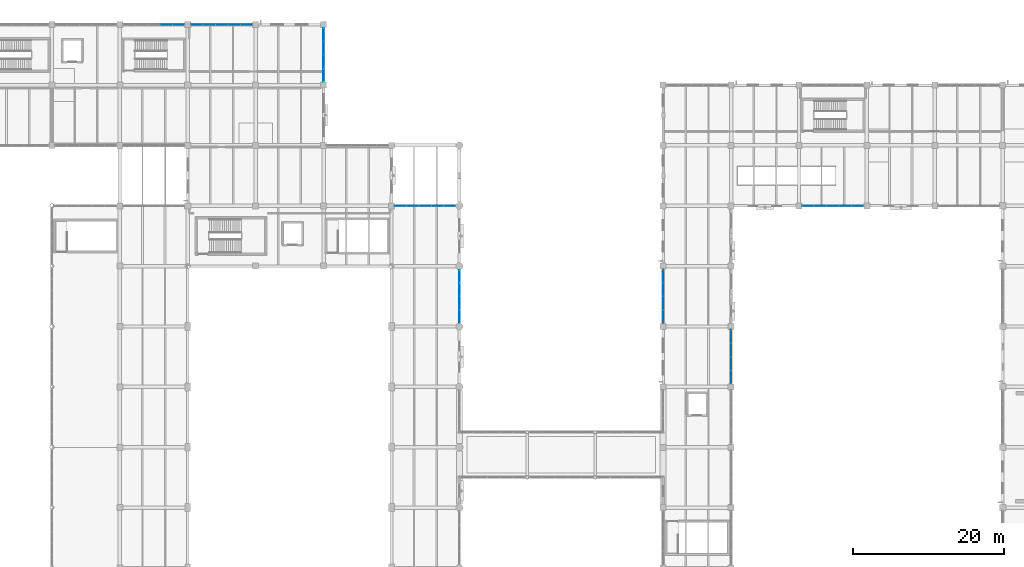
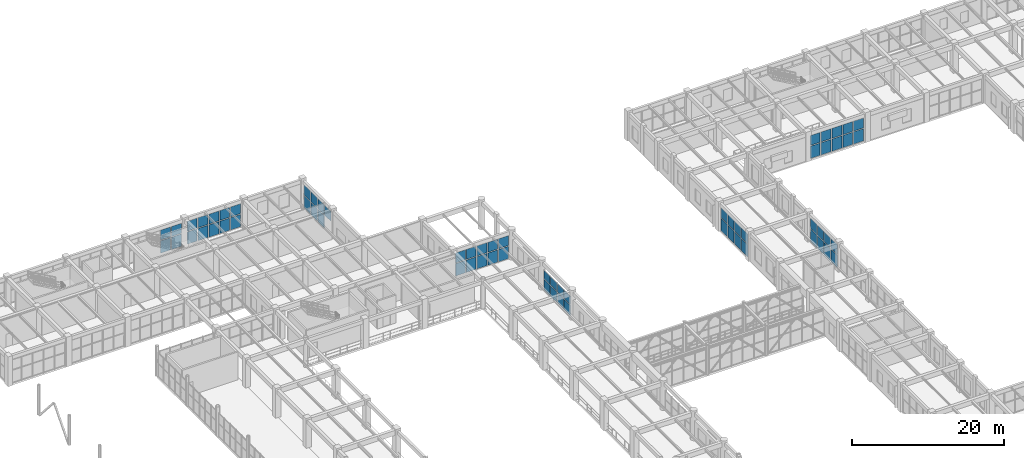
# One storey, part 147 of 178: 65 plates, 8 elements without a shape of their own.
"""IFC4 building model written with IfcOpenShell, lengths in metres."""

from ifc_helpers import new_model, si_unit, derived_unit, direction, frame, origin, origin_2d, place, context, subcontext, project, spatial, rectangle, extrude, material, layer, layer_set, type_object, element, aggregate, save


model = new_model("IFC4")

# Units and contexts
model_context = context("Model", 3, precision=1e-05, world=origin(), true_north=direction((0.0, 1.0)))
body_context = subcontext(model_context, "Body", "Model", "MODEL_VIEW")
ifc_project = project(units=[si_unit("LENGTHUNIT", "METRE"), si_unit("AREAUNIT", "SQUARE_METRE"), si_unit("VOLUMEUNIT", "CUBIC_METRE"), si_unit("PLANEANGLEUNIT", "RADIAN"), si_unit("MASSUNIT", "GRAM", prefix="KILO"), derived_unit("THERMALTRANSMITTANCEUNIT", [(si_unit("MASSUNIT", "GRAM", prefix="KILO"), 1), (si_unit("TIMEUNIT", "SECOND"), -3), (si_unit("THERMODYNAMICTEMPERATUREUNIT", "KELVIN"), -1)])], contexts=[model_context])

# Site, building, storey
site_placement = place(None, origin())
site = spatial("IfcSite", under=ifc_project, at=site_placement, CompositionType="ELEMENT")
building_placement = place(site_placement, origin())
building = spatial("IfcBuilding", under=site, at=building_placement, Name="Zhenchuan Archway Interchange", CompositionType="ELEMENT")
storey_placement = place(building_placement, frame((0.0, 0.0, 5.39990234375)))
storey = spatial("IfcBuildingStorey", under=building, at=storey_placement, Name="L01", CompositionType="ELEMENT", Elevation=5.39990234375)

# Curtain wall, plates
ifc_material_1 = material(Name="Anodised Aluminium", Category="aluminium")
curtain_wall_type_1 = type_object("IfcCurtainWallType", Name="CW_UNIT_1", PredefinedType="NOTDEFINED", material=ifc_material_1)
curtain_wall_1_placement = place(storey_placement, origin())
curtain_wall_1 = element("IfcCurtainWall", 1, at=curtain_wall_1_placement, inside=storey, type_object=curtain_wall_type_1, Name="Unitised curtain wall CW:L01:048", PredefinedType="NOTDEFINED")
ifc_material_2 = material(Name="Double Low-E Insulated Glazing", Category="glass")
ifc_layer_1 = layer(ifc_material_2, 0.028076171875)
ifc_layer_set_1 = layer_set([ifc_layer_1], Name="Double Low-E Insulated Glazing")
plate_type_1 = type_object("IfcPlateType", Name="CW_GLZ_1", PredefinedType="CURTAIN_PANEL", material=ifc_layer_set_1)
plate_1_placement = place(storey_placement, frame((33.15283203125, 112.0, 0.080078125), z_axis=(0.0, 0.0, 1.0), x_axis=(1.0, 0.0, 0.0)))
plate_1 = element("IfcPlate", 2, at=plate_1_placement, type_object=plate_type_1, Name="CW:L01:048 lower glazing panel 3", PredefinedType="CURTAIN_PANEL", context=body_context, shape_type="SweptSolid", body=[
    extrude(rectangle(XDim=1.5126953125, YDim=0.028076171875, at=origin_2d()), origin(), (0.0, 0.0, 1.0), 1.98291015625),
])
plate_2_placement = place(storey_placement, frame((34.795654296875, 112.0, 0.080078125), z_axis=(0.0, 0.0, 1.0), x_axis=(1.0, 0.0, 0.0)))
plate_2 = element("IfcPlate", 3, at=plate_2_placement, type_object=plate_type_1, Name="CW:L01:048 lower glazing panel 4", PredefinedType="CURTAIN_PANEL", context=body_context, shape_type="SweptSolid", body=[
    extrude(rectangle(XDim=1.492919921875, YDim=0.028076171875, at=origin_2d()), origin(), (0.0, 0.0, 1.0), 1.98291015625),
])

curtain_wall_type_2 = type_object("IfcCurtainWallType", Name="CW_UNIT_2", PredefinedType="NOTDEFINED", material=ifc_material_1)
curtain_wall_2_placement = place(storey_placement, origin())
curtain_wall_2 = element("IfcCurtainWall", 4, at=curtain_wall_2_placement, inside=storey, type_object=curtain_wall_type_2, Name="Unitised curtain wall CW:L01:049", PredefinedType="NOTDEFINED")
plate_3_placement = place(storey_placement, frame((37.204345703125, 112.0, 0.080078125), z_axis=(0.0, 0.0, 1.0), x_axis=(1.0, 0.0, 0.0)))
plate_3 = element("IfcPlate", 5, at=plate_3_placement, type_object=plate_type_1, Name="CW:L01:049 lower glazing panel 0", PredefinedType="CURTAIN_PANEL", context=body_context, shape_type="SweptSolid", body=[
    extrude(rectangle(XDim=1.492919921875, YDim=0.028076171875, at=origin_2d()), origin(), (0.0, 0.0, 1.0), 1.98291015625),
])
plate_4_placement = place(storey_placement, frame((38.84716796875, 112.0, 0.080078125), z_axis=(0.0, 0.0, 1.0), x_axis=(1.0, 0.0, 0.0)))
plate_4 = element("IfcPlate", 6, at=plate_4_placement, type_object=plate_type_1, Name="CW:L01:049 lower glazing panel 1", PredefinedType="CURTAIN_PANEL", context=body_context, shape_type="SweptSolid", body=[
    extrude(rectangle(XDim=1.5126953125, YDim=0.028076171875, at=origin_2d()), origin(), (0.0, 0.0, 1.0), 1.98291015625),
])
plate_5_placement = place(storey_placement, frame((40.5, 112.0, 0.080078125), z_axis=(0.0, 0.0, 1.0), x_axis=(1.0, 0.0, 0.0)))
plate_5 = element("IfcPlate", 7, at=plate_5_placement, type_object=plate_type_1, Name="CW:L01:049 lower glazing panel 2", PredefinedType="CURTAIN_PANEL", context=body_context, shape_type="SweptSolid", body=[
    extrude(rectangle(XDim=1.5126953125, YDim=0.028076171875, at=origin_2d()), origin(), (0.0, 0.0, 1.0), 1.98291015625),
])
plate_6_placement = place(storey_placement, frame((42.15283203125, 112.0, 0.080078125), z_axis=(0.0, 0.0, 1.0), x_axis=(1.0, 0.0, 0.0)))
plate_6 = element("IfcPlate", 8, at=plate_6_placement, type_object=plate_type_1, Name="CW:L01:049 lower glazing panel 3", PredefinedType="CURTAIN_PANEL", context=body_context, shape_type="SweptSolid", body=[
    extrude(rectangle(XDim=1.5126953125, YDim=0.028076171875, at=origin_2d()), origin(), (0.0, 0.0, 1.0), 1.98291015625),
])
plate_7_placement = place(storey_placement, frame((43.795654296875, 112.0, 0.080078125), z_axis=(0.0, 0.0, 1.0), x_axis=(1.0, 0.0, 0.0)))
plate_7 = element("IfcPlate", 9, at=plate_7_placement, type_object=plate_type_1, Name="CW:L01:049 lower glazing panel 4", PredefinedType="CURTAIN_PANEL", context=body_context, shape_type="SweptSolid", body=[
    extrude(rectangle(XDim=1.492919921875, YDim=0.028076171875, at=origin_2d()), origin(), (0.0, 0.0, 1.0), 1.98291015625),
])

curtain_wall_3_placement = place(storey_placement, origin())
curtain_wall_3 = element("IfcCurtainWall", 10, at=curtain_wall_3_placement, inside=storey, type_object=curtain_wall_type_1, Name="Unitised curtain wall CW:L01:052", PredefinedType="NOTDEFINED")
plate_8_placement = place(storey_placement, frame((64.197021484375, 88.0, 0.080078125), z_axis=(0.0, 0.0, 1.0), x_axis=(1.0, 0.0, 0.0)))
plate_8 = element("IfcPlate", 11, at=plate_8_placement, type_object=plate_type_1, Name="CW:L01:052 lower glazing panel 0", PredefinedType="CURTAIN_PANEL", context=body_context, shape_type="SweptSolid", body=[
    extrude(rectangle(XDim=1.47802734375, YDim=0.028076171875, at=origin_2d()), origin(), (0.0, 0.0, 1.0), 1.98291015625),
])
plate_9_placement = place(storey_placement, frame((65.824951171875, 88.0, 0.080078125), z_axis=(0.0, 0.0, 1.0), x_axis=(1.0, 0.0, 0.0)))
plate_9 = element("IfcPlate", 12, at=plate_9_placement, type_object=plate_type_1, Name="CW:L01:052 lower glazing panel 1", PredefinedType="CURTAIN_PANEL", context=body_context, shape_type="SweptSolid", body=[
    extrude(rectangle(XDim=1.498046875, YDim=0.028076171875, at=origin_2d()), origin(), (0.0, 0.0, 1.0), 1.98291015625),
])
plate_10_placement = place(storey_placement, frame((67.462890625, 88.0, 0.080078125), z_axis=(0.0, 0.0, 1.0), x_axis=(1.0, 0.0, 0.0)))
plate_10 = element("IfcPlate", 13, at=plate_10_placement, type_object=plate_type_1, Name="CW:L01:052 lower glazing panel 2", PredefinedType="CURTAIN_PANEL", context=body_context, shape_type="SweptSolid", body=[
    extrude(rectangle(XDim=1.498046875, YDim=0.028076171875, at=origin_2d()), origin(), (0.0, 0.0, 1.0), 1.98291015625),
])
plate_11_placement = place(storey_placement, frame((69.10107421875, 88.0, 0.080078125), z_axis=(0.0, 0.0, 1.0), x_axis=(1.0, 0.0, 0.0)))
plate_11 = element("IfcPlate", 14, at=plate_11_placement, type_object=plate_type_1, Name="CW:L01:052 lower glazing panel 3", PredefinedType="CURTAIN_PANEL", context=body_context, shape_type="SweptSolid", body=[
    extrude(rectangle(XDim=1.498046875, YDim=0.028076171875, at=origin_2d()), origin(), (0.0, 0.0, 1.0), 1.98291015625),
])
plate_12_placement = place(storey_placement, frame((70.72900390625, 88.0, 0.080078125), z_axis=(0.0, 0.0, 1.0), x_axis=(1.0, 0.0, 0.0)))
plate_12 = element("IfcPlate", 15, at=plate_12_placement, type_object=plate_type_1, Name="CW:L01:052 lower glazing panel 4", PredefinedType="CURTAIN_PANEL", context=body_context, shape_type="SweptSolid", body=[
    extrude(rectangle(XDim=1.47802734375, YDim=0.028076171875, at=origin_2d()), origin(), (0.0, 0.0, 1.0), 1.98291015625),
])

curtain_wall_4_placement = place(storey_placement, origin())
curtain_wall_4 = element("IfcCurtainWall", 16, at=curtain_wall_4_placement, inside=storey, type_object=curtain_wall_type_2, Name="Unitised curtain wall CW:L01:097", PredefinedType="NOTDEFINED")
plate_13_placement = place(storey_placement, frame((124.795654296875, 88.0, 0.080078125), z_axis=(0.0, 0.0, 1.0), x_axis=(-1.0, 0.0, 0.0)))
plate_13 = element("IfcPlate", 17, at=plate_13_placement, type_object=plate_type_1, Name="CW:L01:097 lower glazing panel 0", PredefinedType="CURTAIN_PANEL", context=body_context, shape_type="SweptSolid", body=[
    extrude(rectangle(XDim=1.492919921875, YDim=0.028076171875, at=origin_2d()), origin(), (0.0, 0.0, 1.0), 1.98291015625),
])
plate_14_placement = place(storey_placement, frame((123.15283203125, 88.0, 0.080078125), z_axis=(0.0, 0.0, 1.0), x_axis=(-1.0, 0.0, 0.0)))
plate_14 = element("IfcPlate", 18, at=plate_14_placement, type_object=plate_type_1, Name="CW:L01:097 lower glazing panel 1", PredefinedType="CURTAIN_PANEL", context=body_context, shape_type="SweptSolid", body=[
    extrude(rectangle(XDim=1.5126953125, YDim=0.028076171875, at=origin_2d()), origin(), (0.0, 0.0, 1.0), 1.98291015625),
])
plate_15_placement = place(storey_placement, frame((121.5, 88.0, 0.080078125), z_axis=(0.0, 0.0, 1.0), x_axis=(-1.0, 0.0, 0.0)))
plate_15 = element("IfcPlate", 19, at=plate_15_placement, type_object=plate_type_1, Name="CW:L01:097 lower glazing panel 2", PredefinedType="CURTAIN_PANEL", context=body_context, shape_type="SweptSolid", body=[
    extrude(rectangle(XDim=1.5126953125, YDim=0.028076171875, at=origin_2d()), origin(), (0.0, 0.0, 1.0), 1.98291015625),
])
plate_16_placement = place(storey_placement, frame((119.84716796875, 88.0, 0.080078125), z_axis=(0.0, 0.0, 1.0), x_axis=(-1.0, 0.0, 0.0)))
plate_16 = element("IfcPlate", 20, at=plate_16_placement, type_object=plate_type_1, Name="CW:L01:097 lower glazing panel 3", PredefinedType="CURTAIN_PANEL", context=body_context, shape_type="SweptSolid", body=[
    extrude(rectangle(XDim=1.5126953125, YDim=0.028076171875, at=origin_2d()), origin(), (0.0, 0.0, 1.0), 1.98291015625),
])
plate_17_placement = place(storey_placement, frame((118.204345703125, 88.0, 0.080078125), z_axis=(0.0, 0.0, 1.0), x_axis=(-1.0, 0.0, 0.0)))
plate_17 = element("IfcPlate", 21, at=plate_17_placement, type_object=plate_type_1, Name="CW:L01:097 lower glazing panel 4", PredefinedType="CURTAIN_PANEL", context=body_context, shape_type="SweptSolid", body=[
    extrude(rectangle(XDim=1.492919921875, YDim=0.028076171875, at=origin_2d()), origin(), (0.0, 0.0, 1.0), 1.98291015625),
])

# Plate
ifc_layer_2 = layer(ifc_material_2, 0.02587890625)
ifc_layer_set_2 = layer_set([ifc_layer_2], Name="Double Low-E Insulated Glazing")
plate_type_2 = type_object("IfcPlateType", Name="CW_GLZ_2", PredefinedType="CURTAIN_PANEL", material=ifc_layer_set_2)
plate_18_placement = place(storey_placement, frame((33.15283203125, 112.0, 2.18310546875), z_axis=(0.0, 0.0, 1.0), x_axis=(1.0, 0.0, 0.0)))
plate_18 = element("IfcPlate", 22, at=plate_18_placement, type_object=plate_type_2, Name="CW:L01:048 upper glazing panel 3", PredefinedType="CURTAIN_PANEL", context=body_context, shape_type="SweptSolid", body=[
    extrude(rectangle(XDim=1.5126953125, YDim=0.02587890625, at=origin_2d()), origin(), (0.0, 0.0, 1.0), 1.596923828125),
])

plate_19_placement = place(storey_placement, frame((34.795654296875, 112.0, 2.18310546875), z_axis=(0.0, 0.0, 1.0), x_axis=(1.0, 0.0, 0.0)))
plate_19 = element("IfcPlate", 23, at=plate_19_placement, type_object=plate_type_2, Name="CW:L01:048 upper glazing panel 4", PredefinedType="CURTAIN_PANEL", context=body_context, shape_type="SweptSolid", body=[
    extrude(rectangle(XDim=1.492919921875, YDim=0.02587890625, at=origin_2d()), origin(), (0.0, 0.0, 1.0), 1.596923828125),
])

aggregate(curtain_wall_1, [plate_1, plate_18, plate_2, plate_19])

plate_20_placement = place(storey_placement, frame((37.204345703125, 112.0, 2.18310546875), z_axis=(0.0, 0.0, 1.0), x_axis=(1.0, 0.0, 0.0)))
plate_20 = element("IfcPlate", 24, at=plate_20_placement, type_object=plate_type_2, Name="CW:L01:049 upper glazing panel 0", PredefinedType="CURTAIN_PANEL", context=body_context, shape_type="SweptSolid", body=[
    extrude(rectangle(XDim=1.492919921875, YDim=0.02587890625, at=origin_2d()), origin(), (0.0, 0.0, 1.0), 1.596923828125),
])

plate_21_placement = place(storey_placement, frame((38.84716796875, 112.0, 2.18310546875), z_axis=(0.0, 0.0, 1.0), x_axis=(1.0, 0.0, 0.0)))
plate_21 = element("IfcPlate", 25, at=plate_21_placement, type_object=plate_type_2, Name="CW:L01:049 upper glazing panel 1", PredefinedType="CURTAIN_PANEL", context=body_context, shape_type="SweptSolid", body=[
    extrude(rectangle(XDim=1.5126953125, YDim=0.02587890625, at=origin_2d()), origin(), (0.0, 0.0, 1.0), 1.596923828125),
])

plate_22_placement = place(storey_placement, frame((40.5, 112.0, 2.18310546875), z_axis=(0.0, 0.0, 1.0), x_axis=(1.0, 0.0, 0.0)))
plate_22 = element("IfcPlate", 26, at=plate_22_placement, type_object=plate_type_2, Name="CW:L01:049 upper glazing panel 2", PredefinedType="CURTAIN_PANEL", context=body_context, shape_type="SweptSolid", body=[
    extrude(rectangle(XDim=1.5126953125, YDim=0.02587890625, at=origin_2d()), origin(), (0.0, 0.0, 1.0), 1.596923828125),
])

plate_23_placement = place(storey_placement, frame((42.15283203125, 112.0, 2.18310546875), z_axis=(0.0, 0.0, 1.0), x_axis=(1.0, 0.0, 0.0)))
plate_23 = element("IfcPlate", 27, at=plate_23_placement, type_object=plate_type_2, Name="CW:L01:049 upper glazing panel 3", PredefinedType="CURTAIN_PANEL", context=body_context, shape_type="SweptSolid", body=[
    extrude(rectangle(XDim=1.5126953125, YDim=0.02587890625, at=origin_2d()), origin(), (0.0, 0.0, 1.0), 1.596923828125),
])

plate_24_placement = place(storey_placement, frame((43.795654296875, 112.0, 2.18310546875), z_axis=(0.0, 0.0, 1.0), x_axis=(1.0, 0.0, 0.0)))
plate_24 = element("IfcPlate", 28, at=plate_24_placement, type_object=plate_type_2, Name="CW:L01:049 upper glazing panel 4", PredefinedType="CURTAIN_PANEL", context=body_context, shape_type="SweptSolid", body=[
    extrude(rectangle(XDim=1.492919921875, YDim=0.02587890625, at=origin_2d()), origin(), (0.0, 0.0, 1.0), 1.596923828125),
])

aggregate(curtain_wall_2, [plate_3, plate_20, plate_4, plate_21, plate_5, plate_22, plate_6, plate_23, plate_7, plate_24])

plate_25_placement = place(storey_placement, frame((64.197021484375, 88.0, 2.18310546875), z_axis=(0.0, 0.0, 1.0), x_axis=(1.0, 0.0, 0.0)))
plate_25 = element("IfcPlate", 29, at=plate_25_placement, type_object=plate_type_2, Name="CW:L01:052 upper glazing panel 0", PredefinedType="CURTAIN_PANEL", context=body_context, shape_type="SweptSolid", body=[
    extrude(rectangle(XDim=1.47802734375, YDim=0.02587890625, at=origin_2d()), origin(), (0.0, 0.0, 1.0), 1.596923828125),
])

plate_26_placement = place(storey_placement, frame((65.824951171875, 88.0, 2.18310546875), z_axis=(0.0, 0.0, 1.0), x_axis=(1.0, 0.0, 0.0)))
plate_26 = element("IfcPlate", 30, at=plate_26_placement, type_object=plate_type_2, Name="CW:L01:052 upper glazing panel 1", PredefinedType="CURTAIN_PANEL", context=body_context, shape_type="SweptSolid", body=[
    extrude(rectangle(XDim=1.498046875, YDim=0.02587890625, at=origin_2d()), origin(), (0.0, 0.0, 1.0), 1.596923828125),
])

plate_27_placement = place(storey_placement, frame((67.462890625, 88.0, 2.18310546875), z_axis=(0.0, 0.0, 1.0), x_axis=(1.0, 0.0, 0.0)))
plate_27 = element("IfcPlate", 31, at=plate_27_placement, type_object=plate_type_2, Name="CW:L01:052 upper glazing panel 2", PredefinedType="CURTAIN_PANEL", context=body_context, shape_type="SweptSolid", body=[
    extrude(rectangle(XDim=1.498046875, YDim=0.02587890625, at=origin_2d()), origin(), (0.0, 0.0, 1.0), 1.596923828125),
])

plate_28_placement = place(storey_placement, frame((69.10107421875, 88.0, 2.18310546875), z_axis=(0.0, 0.0, 1.0), x_axis=(1.0, 0.0, 0.0)))
plate_28 = element("IfcPlate", 32, at=plate_28_placement, type_object=plate_type_2, Name="CW:L01:052 upper glazing panel 3", PredefinedType="CURTAIN_PANEL", context=body_context, shape_type="SweptSolid", body=[
    extrude(rectangle(XDim=1.498046875, YDim=0.02587890625, at=origin_2d()), origin(), (0.0, 0.0, 1.0), 1.596923828125),
])

plate_29_placement = place(storey_placement, frame((70.72900390625, 88.0, 2.18310546875), z_axis=(0.0, 0.0, 1.0), x_axis=(1.0, 0.0, 0.0)))
plate_29 = element("IfcPlate", 33, at=plate_29_placement, type_object=plate_type_2, Name="CW:L01:052 upper glazing panel 4", PredefinedType="CURTAIN_PANEL", context=body_context, shape_type="SweptSolid", body=[
    extrude(rectangle(XDim=1.47802734375, YDim=0.02587890625, at=origin_2d()), origin(), (0.0, 0.0, 1.0), 1.596923828125),
])

aggregate(curtain_wall_3, [plate_8, plate_25, plate_9, plate_26, plate_10, plate_27, plate_11, plate_28, plate_12, plate_29])

plate_30_placement = place(storey_placement, frame((124.795654296875, 88.0, 2.18310546875), z_axis=(0.0, 0.0, 1.0), x_axis=(-1.0, 0.0, 0.0)))
plate_30 = element("IfcPlate", 34, at=plate_30_placement, type_object=plate_type_2, Name="CW:L01:097 upper glazing panel 0", PredefinedType="CURTAIN_PANEL", context=body_context, shape_type="SweptSolid", body=[
    extrude(rectangle(XDim=1.492919921875, YDim=0.02587890625, at=origin_2d()), origin(), (0.0, 0.0, 1.0), 1.596923828125),
])

plate_31_placement = place(storey_placement, frame((123.15283203125, 88.0, 2.18310546875), z_axis=(0.0, 0.0, 1.0), x_axis=(-1.0, 0.0, 0.0)))
plate_31 = element("IfcPlate", 35, at=plate_31_placement, type_object=plate_type_2, Name="CW:L01:097 upper glazing panel 1", PredefinedType="CURTAIN_PANEL", context=body_context, shape_type="SweptSolid", body=[
    extrude(rectangle(XDim=1.5126953125, YDim=0.02587890625, at=origin_2d()), origin(), (0.0, 0.0, 1.0), 1.596923828125),
])

plate_32_placement = place(storey_placement, frame((121.5, 88.0, 2.18310546875), z_axis=(0.0, 0.0, 1.0), x_axis=(-1.0, 0.0, 0.0)))
plate_32 = element("IfcPlate", 36, at=plate_32_placement, type_object=plate_type_2, Name="CW:L01:097 upper glazing panel 2", PredefinedType="CURTAIN_PANEL", context=body_context, shape_type="SweptSolid", body=[
    extrude(rectangle(XDim=1.5126953125, YDim=0.02587890625, at=origin_2d()), origin(), (0.0, 0.0, 1.0), 1.596923828125),
])

plate_33_placement = place(storey_placement, frame((119.84716796875, 88.0, 2.18310546875), z_axis=(0.0, 0.0, 1.0), x_axis=(-1.0, 0.0, 0.0)))
plate_33 = element("IfcPlate", 37, at=plate_33_placement, type_object=plate_type_2, Name="CW:L01:097 upper glazing panel 3", PredefinedType="CURTAIN_PANEL", context=body_context, shape_type="SweptSolid", body=[
    extrude(rectangle(XDim=1.5126953125, YDim=0.02587890625, at=origin_2d()), origin(), (0.0, 0.0, 1.0), 1.596923828125),
])

plate_34_placement = place(storey_placement, frame((118.204345703125, 88.0, 2.18310546875), z_axis=(0.0, 0.0, 1.0), x_axis=(-1.0, 0.0, 0.0)))
plate_34 = element("IfcPlate", 38, at=plate_34_placement, type_object=plate_type_2, Name="CW:L01:097 upper glazing panel 4", PredefinedType="CURTAIN_PANEL", context=body_context, shape_type="SweptSolid", body=[
    extrude(rectangle(XDim=1.492919921875, YDim=0.02587890625, at=origin_2d()), origin(), (0.0, 0.0, 1.0), 1.596923828125),
])

aggregate(curtain_wall_4, [plate_13, plate_30, plate_14, plate_31, plate_15, plate_32, plate_16, plate_33, plate_17, plate_34])

# Curtain wall, plates
curtain_wall_type_3 = type_object("IfcCurtainWallType", Name="CW_UNIT_3", PredefinedType="NOTDEFINED", material=ifc_material_1)
curtain_wall_5_placement = place(storey_placement, origin())
curtain_wall_5 = element("IfcCurtainWall", 39, at=curtain_wall_5_placement, inside=storey, type_object=curtain_wall_type_3, Name="Unitised curtain wall CW:L01:050", PredefinedType="NOTDEFINED")
ifc_layer_3 = layer(ifc_material_2, 0.030029296875)
ifc_layer_set_3 = layer_set([ifc_layer_3], Name="Double Low-E Insulated Glazing")
plate_type_3 = type_object("IfcPlateType", Name="CW_GLZ_3", PredefinedType="CURTAIN_PANEL", material=ifc_layer_set_3)
plate_35_placement = place(storey_placement, frame((54.0, 110.714111328125, 0.080078125), z_axis=(0.0, 0.0, 1.0), x_axis=(0.0, -1.0, 0.0)))
plate_35 = element("IfcPlate", 40, at=plate_35_placement, type_object=plate_type_3, Name="CW:L01:050 lower glazing panel 0", PredefinedType="CURTAIN_PANEL", context=body_context, shape_type="SweptSolid", body=[
    extrude(rectangle(XDim=1.656005859375, YDim=0.028076171875, at=origin_2d()), origin(), (0.0, 0.0, 1.0), 1.98291015625),
])
plate_36_placement = place(storey_placement, frame((54.0, 108.907958984375, 0.080078125), z_axis=(0.0, 0.0, 1.0), x_axis=(0.0, -1.0, 0.0)))
plate_36 = element("IfcPlate", 41, at=plate_36_placement, type_object=plate_type_3, Name="CW:L01:050 lower glazing panel 1", PredefinedType="CURTAIN_PANEL", context=body_context, shape_type="SweptSolid", body=[
    extrude(rectangle(XDim=1.676025390625, YDim=0.028076171875, at=origin_2d()), origin(), (0.0, 0.0, 1.0), 1.98291015625),
])
plate_37_placement = place(storey_placement, frame((54.0, 107.092041015625, 0.080078125), z_axis=(0.0, 0.0, 1.0), x_axis=(0.0, -1.0, 0.0)))
plate_37 = element("IfcPlate", 42, at=plate_37_placement, type_object=plate_type_3, Name="CW:L01:050 lower glazing panel 2", PredefinedType="CURTAIN_PANEL", context=body_context, shape_type="SweptSolid", body=[
    extrude(rectangle(XDim=1.676025390625, YDim=0.028076171875, at=origin_2d()), origin(), (0.0, 0.0, 1.0), 1.98291015625),
])

curtain_wall_6_placement = place(storey_placement, origin())
curtain_wall_6 = element("IfcCurtainWall", 43, at=curtain_wall_6_placement, inside=storey, type_object=curtain_wall_type_2, Name="Unitised curtain wall CW:L01:053", PredefinedType="NOTDEFINED")
plate_38_placement = place(storey_placement, frame((72.0, 78.658447265625, 0.080078125), z_axis=(0.0, 0.0, 1.0), x_axis=(0.0, -1.0, 0.0)))
plate_38 = element("IfcPlate", 44, at=plate_38_placement, type_object=plate_type_3, Name="CW:L01:053 lower glazing panel 0", PredefinedType="CURTAIN_PANEL", context=body_context, shape_type="SweptSolid", body=[
    extrude(rectangle(XDim=1.618896484375, YDim=0.028076171875, at=origin_2d()), origin(), (0.0, 0.0, 1.0), 1.653076171875),
])
plate_39_placement = place(storey_placement, frame((72.0, 76.889404296875, 0.080078125), z_axis=(0.0, 0.0, 1.0), x_axis=(0.0, -1.0, 0.0)))
plate_39 = element("IfcPlate", 45, at=plate_39_placement, type_object=plate_type_3, Name="CW:L01:053 lower glazing panel 1", PredefinedType="CURTAIN_PANEL", context=body_context, shape_type="SweptSolid", body=[
    extrude(rectangle(XDim=1.638916015625, YDim=0.028076171875, at=origin_2d()), origin(), (0.0, 0.0, 1.0), 1.653076171875),
])
plate_40_placement = place(storey_placement, frame((72.0, 75.110595703125, 0.080078125), z_axis=(0.0, 0.0, 1.0), x_axis=(0.0, -1.0, 0.0)))
plate_40 = element("IfcPlate", 46, at=plate_40_placement, type_object=plate_type_3, Name="CW:L01:053 lower glazing panel 2", PredefinedType="CURTAIN_PANEL", context=body_context, shape_type="SweptSolid", body=[
    extrude(rectangle(XDim=1.638916015625, YDim=0.028076171875, at=origin_2d()), origin(), (0.0, 0.0, 1.0), 1.653076171875),
])
plate_41_placement = place(storey_placement, frame((72.0, 73.341552734375, 0.080078125), z_axis=(0.0, 0.0, 1.0), x_axis=(0.0, -1.0, 0.0)))
plate_41 = element("IfcPlate", 47, at=plate_41_placement, type_object=plate_type_3, Name="CW:L01:053 lower glazing panel 3", PredefinedType="CURTAIN_PANEL", context=body_context, shape_type="SweptSolid", body=[
    extrude(rectangle(XDim=1.618896484375, YDim=0.028076171875, at=origin_2d()), origin(), (0.0, 0.0, 1.0), 1.653076171875),
])

curtain_wall_type_4 = type_object("IfcCurtainWallType", Name="CW_UNIT_4", PredefinedType="NOTDEFINED", material=ifc_material_1)
curtain_wall_7_placement = place(storey_placement, origin())
curtain_wall_7 = element("IfcCurtainWall", 48, at=curtain_wall_7_placement, inside=storey, type_object=curtain_wall_type_4, Name="Unitised curtain wall CW:L01:059", PredefinedType="NOTDEFINED")
plate_42_placement = place(storey_placement, frame((99.0, 73.285888671875, 0.080078125), z_axis=(0.0, 0.0, 1.0), x_axis=(0.0, 1.0, 0.0)))
plate_42 = element("IfcPlate", 49, at=plate_42_placement, type_object=plate_type_3, Name="CW:L01:059 lower glazing panel 0", PredefinedType="CURTAIN_PANEL", context=body_context, shape_type="SweptSolid", body=[
    extrude(rectangle(XDim=1.656005859375, YDim=0.028076171875, at=origin_2d()), origin(), (0.0, 0.0, 1.0), 1.98291015625),
])
plate_43_placement = place(storey_placement, frame((99.0, 75.092041015625, 0.080078125), z_axis=(0.0, 0.0, 1.0), x_axis=(0.0, 1.0, 0.0)))
plate_43 = element("IfcPlate", 50, at=plate_43_placement, type_object=plate_type_3, Name="CW:L01:059 lower glazing panel 1", PredefinedType="CURTAIN_PANEL", context=body_context, shape_type="SweptSolid", body=[
    extrude(rectangle(XDim=1.676025390625, YDim=0.028076171875, at=origin_2d()), origin(), (0.0, 0.0, 1.0), 1.98291015625),
])
plate_44_placement = place(storey_placement, frame((99.0, 76.907958984375, 0.080078125), z_axis=(0.0, 0.0, 1.0), x_axis=(0.0, 1.0, 0.0)))
plate_44 = element("IfcPlate", 51, at=plate_44_placement, type_object=plate_type_3, Name="CW:L01:059 lower glazing panel 2", PredefinedType="CURTAIN_PANEL", context=body_context, shape_type="SweptSolid", body=[
    extrude(rectangle(XDim=1.676025390625, YDim=0.028076171875, at=origin_2d()), origin(), (0.0, 0.0, 1.0), 1.98291015625),
])
plate_45_placement = place(storey_placement, frame((99.0, 78.714111328125, 0.080078125), z_axis=(0.0, 0.0, 1.0), x_axis=(0.0, 1.0, 0.0)))
plate_45 = element("IfcPlate", 52, at=plate_45_placement, type_object=plate_type_3, Name="CW:L01:059 lower glazing panel 3", PredefinedType="CURTAIN_PANEL", context=body_context, shape_type="SweptSolid", body=[
    extrude(rectangle(XDim=1.656005859375, YDim=0.028076171875, at=origin_2d()), origin(), (0.0, 0.0, 1.0), 1.98291015625),
])

curtain_wall_8_placement = place(storey_placement, origin())
curtain_wall_8 = element("IfcCurtainWall", 53, at=curtain_wall_8_placement, inside=storey, type_object=curtain_wall_type_3, Name="Unitised curtain wall CW:L01:098", PredefinedType="NOTDEFINED")
plate_46_placement = place(storey_placement, frame((108.0, 70.714111328125, 0.080078125), z_axis=(0.0, 0.0, 1.0), x_axis=(0.0, -1.0, 0.0)))
plate_46 = element("IfcPlate", 54, at=plate_46_placement, type_object=plate_type_3, Name="CW:L01:098 lower glazing panel 0", PredefinedType="CURTAIN_PANEL", context=body_context, shape_type="SweptSolid", body=[
    extrude(rectangle(XDim=1.656005859375, YDim=0.028076171875, at=origin_2d()), origin(), (0.0, 0.0, 1.0), 1.98291015625),
])
plate_47_placement = place(storey_placement, frame((108.0, 68.907958984375, 0.080078125), z_axis=(0.0, 0.0, 1.0), x_axis=(0.0, -1.0, 0.0)))
plate_47 = element("IfcPlate", 55, at=plate_47_placement, type_object=plate_type_3, Name="CW:L01:098 lower glazing panel 1", PredefinedType="CURTAIN_PANEL", context=body_context, shape_type="SweptSolid", body=[
    extrude(rectangle(XDim=1.676025390625, YDim=0.028076171875, at=origin_2d()), origin(), (0.0, 0.0, 1.0), 1.98291015625),
])
plate_48_placement = place(storey_placement, frame((108.0, 67.092041015625, 0.080078125), z_axis=(0.0, 0.0, 1.0), x_axis=(0.0, -1.0, 0.0)))
plate_48 = element("IfcPlate", 56, at=plate_48_placement, type_object=plate_type_3, Name="CW:L01:098 lower glazing panel 2", PredefinedType="CURTAIN_PANEL", context=body_context, shape_type="SweptSolid", body=[
    extrude(rectangle(XDim=1.676025390625, YDim=0.028076171875, at=origin_2d()), origin(), (0.0, 0.0, 1.0), 1.98291015625),
])
plate_49_placement = place(storey_placement, frame((108.0, 65.285888671875, 0.080078125), z_axis=(0.0, 0.0, 1.0), x_axis=(0.0, -1.0, 0.0)))
plate_49 = element("IfcPlate", 57, at=plate_49_placement, type_object=plate_type_3, Name="CW:L01:098 lower glazing panel 3", PredefinedType="CURTAIN_PANEL", context=body_context, shape_type="SweptSolid", body=[
    extrude(rectangle(XDim=1.656005859375, YDim=0.028076171875, at=origin_2d()), origin(), (0.0, 0.0, 1.0), 1.98291015625),
])

# Plate
ifc_layer_4 = layer(ifc_material_2, 0.02392578125)
ifc_layer_set_4 = layer_set([ifc_layer_4], Name="Double Low-E Insulated Glazing")
plate_type_4 = type_object("IfcPlateType", Name="CW_GLZ_4", PredefinedType="CURTAIN_PANEL", material=ifc_layer_set_4)
plate_50_placement = place(storey_placement, frame((54.0, 110.714111328125, 2.18310546875), z_axis=(0.0, 0.0, 1.0), x_axis=(0.0, -1.0, 0.0)))
plate_50 = element("IfcPlate", 58, at=plate_50_placement, type_object=plate_type_4, Name="CW:L01:050 upper glazing panel 0", PredefinedType="CURTAIN_PANEL", context=body_context, shape_type="SweptSolid", body=[
    extrude(rectangle(XDim=1.656005859375, YDim=0.02587890625, at=origin_2d()), origin(), (0.0, 0.0, 1.0), 1.596923828125),
])

plate_51_placement = place(storey_placement, frame((54.0, 108.907958984375, 2.18310546875), z_axis=(0.0, 0.0, 1.0), x_axis=(0.0, -1.0, 0.0)))
plate_51 = element("IfcPlate", 59, at=plate_51_placement, type_object=plate_type_4, Name="CW:L01:050 upper glazing panel 1", PredefinedType="CURTAIN_PANEL", context=body_context, shape_type="SweptSolid", body=[
    extrude(rectangle(XDim=1.676025390625, YDim=0.02587890625, at=origin_2d()), origin(), (0.0, 0.0, 1.0), 1.596923828125),
])

plate_52_placement = place(storey_placement, frame((54.0, 107.092041015625, 2.18310546875), z_axis=(0.0, 0.0, 1.0), x_axis=(0.0, -1.0, 0.0)))
plate_52 = element("IfcPlate", 60, at=plate_52_placement, type_object=plate_type_4, Name="CW:L01:050 upper glazing panel 2", PredefinedType="CURTAIN_PANEL", context=body_context, shape_type="SweptSolid", body=[
    extrude(rectangle(XDim=1.676025390625, YDim=0.02587890625, at=origin_2d()), origin(), (0.0, 0.0, 1.0), 1.596923828125),
])

plate_53_placement = place(storey_placement, frame((54.0, 105.285888671875, 2.18310546875), z_axis=(0.0, 0.0, 1.0), x_axis=(0.0, -1.0, 0.0)))
plate_53 = element("IfcPlate", 61, at=plate_53_placement, type_object=plate_type_4, Name="CW:L01:050 upper glazing panel 3", PredefinedType="CURTAIN_PANEL", context=body_context, shape_type="SweptSolid", body=[
    extrude(rectangle(XDim=1.656005859375, YDim=0.02587890625, at=origin_2d()), origin(), (0.0, 0.0, 1.0), 1.596923828125),
])

aggregate(curtain_wall_5, [plate_35, plate_50, plate_36, plate_51, plate_37, plate_52, plate_53])

plate_54_placement = place(storey_placement, frame((72.0, 78.658447265625, 1.85302734375), z_axis=(0.0, 0.0, 1.0), x_axis=(0.0, -1.0, 0.0)))
plate_54 = element("IfcPlate", 62, at=plate_54_placement, type_object=plate_type_4, Name="CW:L01:053 upper glazing panel 0", PredefinedType="CURTAIN_PANEL", context=body_context, shape_type="SweptSolid", body=[
    extrude(rectangle(XDim=1.618896484375, YDim=0.02587890625, at=origin_2d()), origin(), (0.0, 0.0, 1.0), 1.326904296875),
])

plate_55_placement = place(storey_placement, frame((72.0, 76.889404296875, 1.85302734375), z_axis=(0.0, 0.0, 1.0), x_axis=(0.0, -1.0, 0.0)))
plate_55 = element("IfcPlate", 63, at=plate_55_placement, type_object=plate_type_4, Name="CW:L01:053 upper glazing panel 1", PredefinedType="CURTAIN_PANEL", context=body_context, shape_type="SweptSolid", body=[
    extrude(rectangle(XDim=1.638916015625, YDim=0.02587890625, at=origin_2d()), origin(), (0.0, 0.0, 1.0), 1.326904296875),
])

plate_56_placement = place(storey_placement, frame((72.0, 75.110595703125, 1.85302734375), z_axis=(0.0, 0.0, 1.0), x_axis=(0.0, -1.0, 0.0)))
plate_56 = element("IfcPlate", 64, at=plate_56_placement, type_object=plate_type_4, Name="CW:L01:053 upper glazing panel 2", PredefinedType="CURTAIN_PANEL", context=body_context, shape_type="SweptSolid", body=[
    extrude(rectangle(XDim=1.638916015625, YDim=0.02587890625, at=origin_2d()), origin(), (0.0, 0.0, 1.0), 1.326904296875),
])

plate_57_placement = place(storey_placement, frame((72.0, 73.341552734375, 1.85302734375), z_axis=(0.0, 0.0, 1.0), x_axis=(0.0, -1.0, 0.0)))
plate_57 = element("IfcPlate", 65, at=plate_57_placement, type_object=plate_type_4, Name="CW:L01:053 upper glazing panel 3", PredefinedType="CURTAIN_PANEL", context=body_context, shape_type="SweptSolid", body=[
    extrude(rectangle(XDim=1.618896484375, YDim=0.02587890625, at=origin_2d()), origin(), (0.0, 0.0, 1.0), 1.326904296875),
])

aggregate(curtain_wall_6, [plate_38, plate_54, plate_39, plate_55, plate_40, plate_56, plate_41, plate_57])

plate_58_placement = place(storey_placement, frame((99.0, 73.285888671875, 2.18310546875), z_axis=(0.0, 0.0, 1.0), x_axis=(0.0, 1.0, 0.0)))
plate_58 = element("IfcPlate", 66, at=plate_58_placement, type_object=plate_type_4, Name="CW:L01:059 upper glazing panel 0", PredefinedType="CURTAIN_PANEL", context=body_context, shape_type="SweptSolid", body=[
    extrude(rectangle(XDim=1.656005859375, YDim=0.02587890625, at=origin_2d()), origin(), (0.0, 0.0, 1.0), 1.596923828125),
])

plate_59_placement = place(storey_placement, frame((99.0, 75.092041015625, 2.18310546875), z_axis=(0.0, 0.0, 1.0), x_axis=(0.0, 1.0, 0.0)))
plate_59 = element("IfcPlate", 67, at=plate_59_placement, type_object=plate_type_4, Name="CW:L01:059 upper glazing panel 1", PredefinedType="CURTAIN_PANEL", context=body_context, shape_type="SweptSolid", body=[
    extrude(rectangle(XDim=1.676025390625, YDim=0.02587890625, at=origin_2d()), origin(), (0.0, 0.0, 1.0), 1.596923828125),
])

plate_60_placement = place(storey_placement, frame((99.0, 76.907958984375, 2.18310546875), z_axis=(0.0, 0.0, 1.0), x_axis=(0.0, 1.0, 0.0)))
plate_60 = element("IfcPlate", 68, at=plate_60_placement, type_object=plate_type_4, Name="CW:L01:059 upper glazing panel 2", PredefinedType="CURTAIN_PANEL", context=body_context, shape_type="SweptSolid", body=[
    extrude(rectangle(XDim=1.676025390625, YDim=0.02587890625, at=origin_2d()), origin(), (0.0, 0.0, 1.0), 1.596923828125),
])

plate_61_placement = place(storey_placement, frame((99.0, 78.714111328125, 2.18310546875), z_axis=(0.0, 0.0, 1.0), x_axis=(0.0, 1.0, 0.0)))
plate_61 = element("IfcPlate", 69, at=plate_61_placement, type_object=plate_type_4, Name="CW:L01:059 upper glazing panel 3", PredefinedType="CURTAIN_PANEL", context=body_context, shape_type="SweptSolid", body=[
    extrude(rectangle(XDim=1.656005859375, YDim=0.02587890625, at=origin_2d()), origin(), (0.0, 0.0, 1.0), 1.596923828125),
])

aggregate(curtain_wall_7, [plate_42, plate_58, plate_43, plate_59, plate_44, plate_60, plate_45, plate_61])

plate_62_placement = place(storey_placement, frame((108.0, 70.714111328125, 2.18310546875), z_axis=(0.0, 0.0, 1.0), x_axis=(0.0, -1.0, 0.0)))
plate_62 = element("IfcPlate", 70, at=plate_62_placement, type_object=plate_type_4, Name="CW:L01:098 upper glazing panel 0", PredefinedType="CURTAIN_PANEL", context=body_context, shape_type="SweptSolid", body=[
    extrude(rectangle(XDim=1.656005859375, YDim=0.02587890625, at=origin_2d()), origin(), (0.0, 0.0, 1.0), 1.596923828125),
])

plate_63_placement = place(storey_placement, frame((108.0, 68.907958984375, 2.18310546875), z_axis=(0.0, 0.0, 1.0), x_axis=(0.0, -1.0, 0.0)))
plate_63 = element("IfcPlate", 71, at=plate_63_placement, type_object=plate_type_4, Name="CW:L01:098 upper glazing panel 1", PredefinedType="CURTAIN_PANEL", context=body_context, shape_type="SweptSolid", body=[
    extrude(rectangle(XDim=1.676025390625, YDim=0.02587890625, at=origin_2d()), origin(), (0.0, 0.0, 1.0), 1.596923828125),
])

plate_64_placement = place(storey_placement, frame((108.0, 67.092041015625, 2.18310546875), z_axis=(0.0, 0.0, 1.0), x_axis=(0.0, -1.0, 0.0)))
plate_64 = element("IfcPlate", 72, at=plate_64_placement, type_object=plate_type_4, Name="CW:L01:098 upper glazing panel 2", PredefinedType="CURTAIN_PANEL", context=body_context, shape_type="SweptSolid", body=[
    extrude(rectangle(XDim=1.676025390625, YDim=0.02587890625, at=origin_2d()), origin(), (0.0, 0.0, 1.0), 1.596923828125),
])

plate_65_placement = place(storey_placement, frame((108.0, 65.285888671875, 2.18310546875), z_axis=(0.0, 0.0, 1.0), x_axis=(0.0, -1.0, 0.0)))
plate_65 = element("IfcPlate", 73, at=plate_65_placement, type_object=plate_type_4, Name="CW:L01:098 upper glazing panel 3", PredefinedType="CURTAIN_PANEL", context=body_context, shape_type="SweptSolid", body=[
    extrude(rectangle(XDim=1.656005859375, YDim=0.02587890625, at=origin_2d()), origin(), (0.0, 0.0, 1.0), 1.596923828125),
])

aggregate(curtain_wall_8, [plate_46, plate_62, plate_47, plate_63, plate_48, plate_64, plate_49, plate_65])

save(model, "model.ifc")
